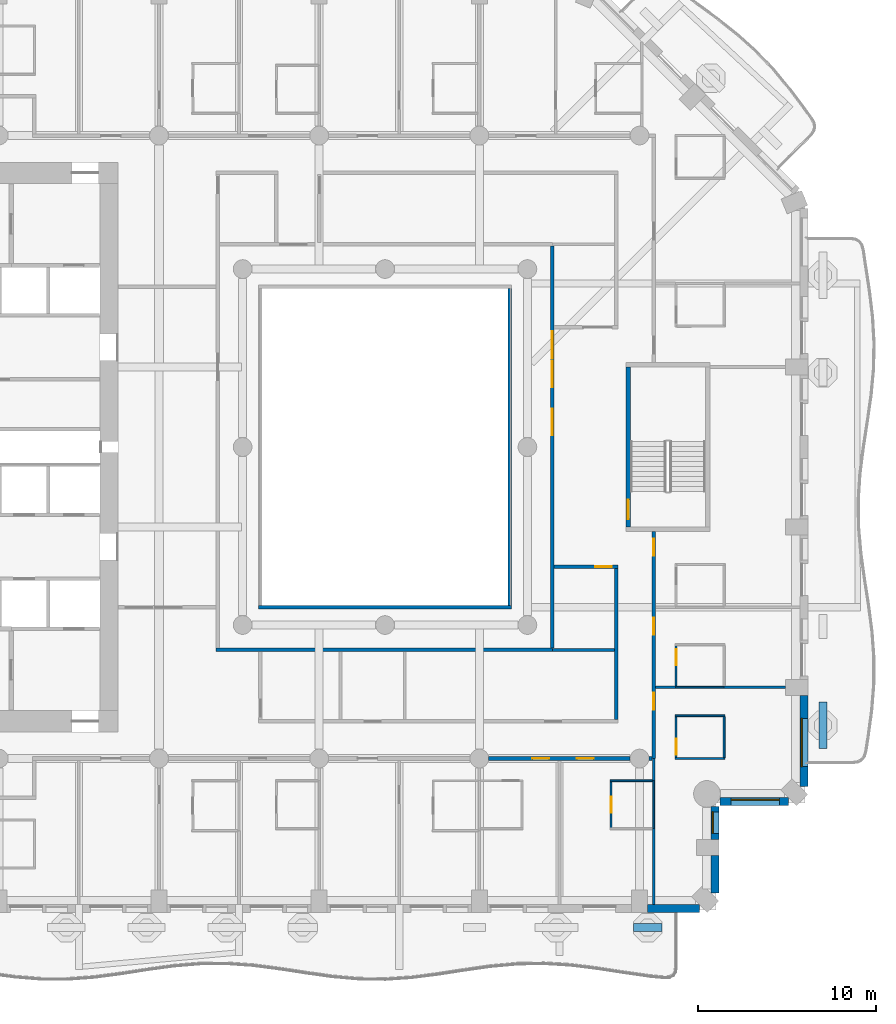
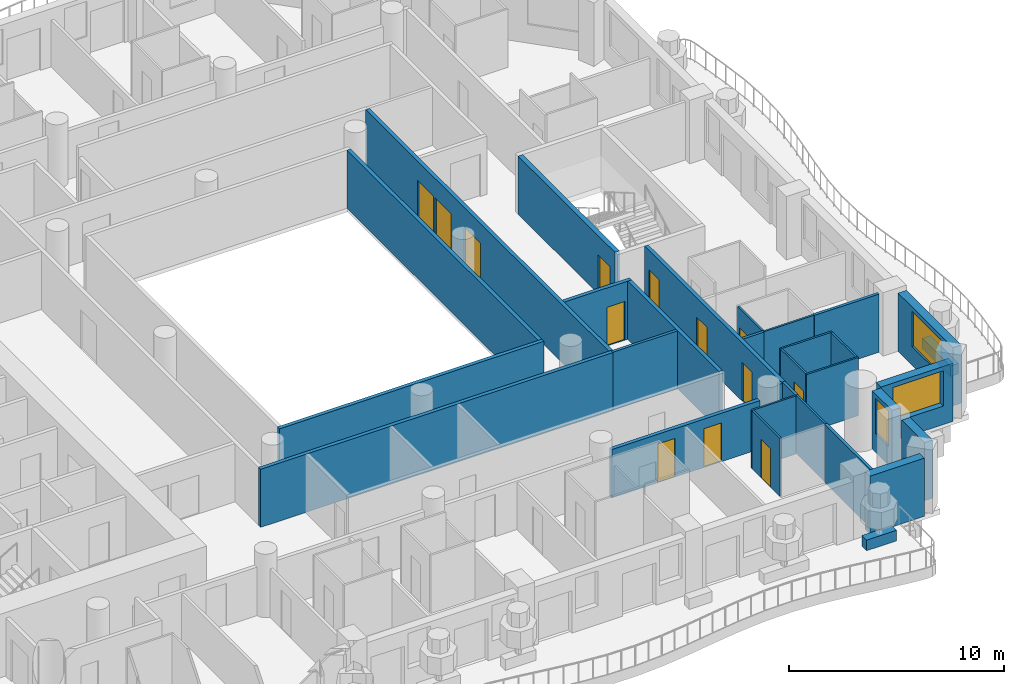
# One storey, part 6 of 20: 31 walls, 13 doors, 3 windows, 16 openings.
"""IFC4 building model written with IfcOpenShell, lengths in metres."""

from ifc_helpers import new_model, si_unit, direction, frame, frame_2d, origin, place, context, subcontext, project, spatial, rectangle, extrude, material, layer, layer_set, type_object, element, fill, save


model = new_model("IFC4")

# Units and contexts
model_context = context("Model", 3, precision=1e-05, world=origin(), true_north=direction((0.0, 1.0)))
body_context = subcontext(model_context, "Body", "Model", "MODEL_VIEW")
ifc_project = project(units=[si_unit("LENGTHUNIT", "METRE"), si_unit("AREAUNIT", "SQUARE_METRE"), si_unit("VOLUMEUNIT", "CUBIC_METRE"), si_unit("PLANEANGLEUNIT", "RADIAN"), si_unit("MASSUNIT", "GRAM", prefix="KILO")], contexts=[model_context])

# Site, building, storey
site_placement = place(None, origin())
site = spatial("IfcSite", under=ifc_project, at=site_placement, CompositionType="ELEMENT")
building_placement = place(site_placement, origin())
building = spatial("IfcBuilding", under=site, at=building_placement, Name="Cypress Arch Tower", CompositionType="ELEMENT")
storey_placement = place(building_placement, frame((0.0, 0.0, 113.10009765625)))
storey = spatial("IfcBuildingStorey", under=building, at=storey_placement, Name="L23", CompositionType="ELEMENT", Elevation=113.10009765625)

# Walls
ifc_material_1 = material(Name="Concrete C40/50, waterproofed", Category="concrete")
ifc_layer_1 = layer(ifc_material_1, 0.449951171875)
ifc_layer_set_1 = layer_set([ifc_layer_1], Name="Balcony planter wall PW450")
wall_type_1 = type_object("IfcWallType", Name="Balcony planter wall PW450", PredefinedType="SOLIDWALL", material=ifc_layer_set_1)
wall_1_placement = place(storey_placement, frame((14.949951171875, -27.0, 0.0), z_axis=(0.0, 0.0, 1.0), x_axis=(1.0, 0.0, 0.0)))
element("IfcWall", 1, at=wall_1_placement, inside=storey, type_object=wall_type_1, Name="Balcony planter wall L23-A03.7", PredefinedType="SOLIDWALL", context=body_context, shape_type="SweptSolid", body=[
    extrude(rectangle(XDim=1.60009765625, YDim=0.449951171875, at=frame_2d((0.800048828125, 0.0))), origin(), (0.0, 0.0, 1.0), 0.599853515625),
])
wall_2_placement = place(storey_placement, frame((25.60009765625, -16.949951171875, 0.0), z_axis=(0.0, 0.0, 1.0), x_axis=(0.0, 1.0, 0.0)))
element("IfcWall", 2, at=wall_2_placement, inside=storey, type_object=wall_type_1, Name="Balcony planter wall L23-A06.1", PredefinedType="SOLIDWALL", context=body_context, shape_type="SweptSolid", body=[
    extrude(rectangle(XDim=2.6142578125, YDim=0.449951171875, at=frame_2d((1.30712890625, 0.0))), origin(), (0.0, 0.0, 1.0), 0.599853515625),
])
ifc_material_2 = material(Name="Brick (red buff blend)", Category="masonry")
ifc_layer_2 = layer(ifc_material_2, 0.449951171875)
ifc_layer_set_2 = layer_set([ifc_layer_2], Name="Brick pier and spandrel wall BW450")
wall_type_2 = type_object("IfcWallType", Name="Brick pier and spandrel wall BW450", PredefinedType="SOLIDWALL", material=ifc_layer_set_2)
wall_3_placement = place(storey_placement, frame((15.75, -25.925048828125, 0.0), z_axis=(0.0, 0.0, 1.0), x_axis=(1.0, 0.0, 0.0)))
element("IfcWall", 3, at=wall_3_placement, inside=storey, type_object=wall_type_2, Name="Brick wall L23 A03.5", PredefinedType="SOLIDWALL", context=body_context, shape_type="SweptSolid", body=[
    extrude(rectangle(XDim=2.91357421875, YDim=0.449951171875, at=frame_2d((1.456787109375, 0.0))), origin(), (0.0, 0.0, 1.0), 3.2998046875),
])
wall_4_placement = place(storey_placement, frame((19.52490234375, -25.063720703125, 0.0), z_axis=(0.0, 0.0, 1.0), x_axis=(0.0, 1.0, 0.0)))
element("IfcWall", 4, at=wall_4_placement, inside=storey, type_object=wall_type_2, Name="Brick wall L23 A04.0", PredefinedType="SOLIDWALL", context=body_context, shape_type="SweptSolid", body=[
    extrude(rectangle(XDim=2.11376953125, YDim=0.449951171875, at=frame_2d((1.056884765625, 0.0))), origin(), (0.0, 0.0, 1.0), 3.2998046875),
])

# Wall, opening, window
wall_5_placement = place(storey_placement, frame((19.52490234375, -22.050048828125, 0.0), z_axis=(0.0, 0.0, 1.0), x_axis=(0.0, 1.0, 0.0)))
wall_5 = element("IfcWall", 5, at=wall_5_placement, inside=storey, type_object=wall_type_2, Name="Brick wall L23 A04.1", PredefinedType="SOLIDWALL", context=body_context, shape_type="SweptSolid", body=[
    extrude(rectangle(XDim=1.843017578125, YDim=0.449951171875, at=frame_2d((0.92138671875, 0.0))), origin(), (0.0, 0.0, 1.0), 3.2998046875),
])
opening_1_placement = place(wall_5_placement, frame((0.35009765625, 0.0, 1.050048828125)))
opening_1 = element("IfcOpeningElement", 6, at=opening_1_placement, cuts=wall_5, Name="Opening W120H", PredefinedType="OPENING", context=body_context, shape_type="SweptSolid", body=[
    extrude(rectangle(XDim=1.199951171875, YDim=2.0, at=frame_2d((0.60009765625, 1.0))), frame((0.0, 0.23486328125, 0.0), z_axis=(0.0, -1.0, 0.0), x_axis=(1.0, 0.0, 0.0)), (0.0, 0.0, 1.0), 0.469970703125),
])
ifc_material_3 = material(Name="Anodised aluminium, bronze finish, clear low-emissivity double glazing", Category="aluminium")
window_type_1 = type_object("IfcWindowType", Name="Window Hotel 1200x2000", PartitioningType="SINGLE_PANEL", PredefinedType="WINDOW", material=ifc_material_3)
window_1_placement = place(opening_1_placement, origin())
window_1 = element("IfcWindow", 7, at=window_1_placement, inside=storey, type_object=window_type_1, Name="Window L23 A04.1.1", OverallHeight=2.0, OverallWidth=1.199951171875, PartitioningType="SINGLE_PANEL", PredefinedType="WINDOW", context=body_context, shape_type="SweptSolid", body=[
    extrude(rectangle(XDim=1.199951171875, YDim=2.0, at=frame_2d((0.60009765625, 1.0))), frame((0.0, 0.135009765625, 0.0), z_axis=(0.0, -1.0, 0.0), x_axis=(1.0, 0.0, 0.0)), (0.0, 0.0, 1.0), 0.06005859375),
])
fill(opening_1, window_1)

wall_6_placement = place(storey_placement, frame((19.806884765625, -19.925048828125, 0.0), z_axis=(0.0, 0.0, 1.0), x_axis=(1.0, 0.0, 0.0)))
wall_6 = element("IfcWall", 8, at=wall_6_placement, inside=storey, type_object=wall_type_2, Name="Brick wall L23 A05.0", PredefinedType="SOLIDWALL", context=body_context, shape_type="SweptSolid", body=[
    extrude(rectangle(XDim=3.856689453125, YDim=0.449951171875, at=frame_2d((1.92822265625, 0.0))), origin(), (0.0, 0.0, 1.0), 3.2998046875),
])
opening_2_placement = place(wall_6_placement, frame((0.64306640625, 0.0, 1.050048828125)))
opening_2 = element("IfcOpeningElement", 9, at=opening_2_placement, cuts=wall_6, Name="Opening W270H", PredefinedType="OPENING", context=body_context, shape_type="SweptSolid", body=[
    extrude(rectangle(XDim=2.699951171875, YDim=2.0, at=frame_2d((1.35009765625, 1.0))), frame((0.0, 0.23486328125, 0.0), z_axis=(0.0, -1.0, 0.0), x_axis=(1.0, 0.0, 0.0)), (0.0, 0.0, 1.0), 0.469970703125),
])
ifc_material_4 = material(Name="Anodised aluminium, bronze finish, clear low-emissivity double glazing", Category="aluminium")
window_type_2 = type_object("IfcWindowType", Name="Window Hotel 2700x2000", PartitioningType="SINGLE_PANEL", PredefinedType="WINDOW", material=ifc_material_4)
window_2_placement = place(opening_2_placement, origin())
window_2 = element("IfcWindow", 10, at=window_2_placement, inside=storey, type_object=window_type_2, Name="Window L23 A05.0.1", OverallHeight=2.0, OverallWidth=2.699951171875, PartitioningType="SINGLE_PANEL", PredefinedType="WINDOW", context=body_context, shape_type="SweptSolid", body=[
    extrude(rectangle(XDim=2.699951171875, YDim=2.0, at=frame_2d((1.35009765625, 1.0))), frame((0.0, 0.135009765625, 0.0), z_axis=(0.0, -1.0, 0.0), x_axis=(1.0, 0.0, 0.0)), (0.0, 0.0, 1.0), 0.06005859375),
])
fill(opening_2, window_2)

wall_7_placement = place(storey_placement, frame((24.52490234375, -19.063720703125, 0.0), z_axis=(0.0, 0.0, 1.0), x_axis=(0.0, 1.0, 0.0)))
wall_7 = element("IfcWall", 11, at=wall_7_placement, inside=storey, type_object=wall_type_2, Name="Brick wall L23 A06.0", PredefinedType="SOLIDWALL", context=body_context, shape_type="SweptSolid", body=[
    extrude(rectangle(XDim=5.11376953125, YDim=0.449951171875, at=frame_2d((2.556884765625, 0.0))), origin(), (0.0, 0.0, 1.0), 3.2998046875),
])
opening_3_placement = place(wall_7_placement, frame((1.113525390625, 0.0, 1.050048828125)))
opening_3 = element("IfcOpeningElement", 12, at=opening_3_placement, cuts=wall_7, Name="Opening W270HD", PredefinedType="OPENING", context=body_context, shape_type="SweptSolid", body=[
    extrude(rectangle(XDim=2.699951171875, YDim=2.0, at=frame_2d((1.35009765625, 1.0))), frame((0.0, 0.23486328125, 0.0), z_axis=(0.0, -1.0, 0.0), x_axis=(1.0, 0.0, 0.0)), (0.0, 0.0, 1.0), 0.469970703125),
])
ifc_material_5 = material(Name="Anodised aluminium, bronze finish, laminated low-emissivity double glazing, large-missile impact rated", Category="aluminium")
window_type_3 = type_object("IfcWindowType", Name="Window Hotel 2700x2000 debris-rated", PartitioningType="SINGLE_PANEL", PredefinedType="WINDOW", material=ifc_material_5)
window_3_placement = place(opening_3_placement, origin())
window_3 = element("IfcWindow", 13, at=window_3_placement, inside=storey, type_object=window_type_3, Name="Window L23 A06.0.1", OverallHeight=2.0, OverallWidth=2.699951171875, PartitioningType="SINGLE_PANEL", PredefinedType="WINDOW", context=body_context, shape_type="SweptSolid", body=[
    extrude(rectangle(XDim=2.699951171875, YDim=2.0, at=frame_2d((1.35009765625, 1.0))), frame((0.0, 0.135009765625, 0.0), z_axis=(0.0, -1.0, 0.0), x_axis=(1.0, 0.0, 0.0)), (0.0, 0.0, 1.0), 0.06005859375),
])
fill(opening_3, window_3)

# Wall, openings, doors
ifc_material_6 = material(Name="Concrete blockwork, plastered, rated", Category="masonry")
ifc_layer_3 = layer(ifc_material_6, 0.199951171875)
ifc_layer_set_3 = layer_set([ifc_layer_3], Name="Corridor wall FW200")
wall_type_3 = type_object("IfcWallType", Name="Corridor wall FW200", PredefinedType="PARTITIONING", material=ifc_layer_set_3)
wall_8_placement = place(storey_placement, frame((6.824951171875, -17.5, 0.0), z_axis=(0.0, 0.0, 1.0), x_axis=(1.0, 0.0, 0.0)))
wall_8 = element("IfcWall", 14, at=wall_8_placement, inside=storey, type_object=wall_type_3, Name="Corridor wall", PredefinedType="PARTITIONING", context=body_context, shape_type="SweptSolid", body=[
    extrude(rectangle(XDim=7.949951171875, YDim=0.199951171875, at=frame_2d((3.97509765625, 0.0))), origin(), (0.0, 0.0, 1.0), 2.75),
])
opening_4_placement = place(wall_8_placement, frame((2.449951171875, 0.0, 0.0)))
opening_4 = element("IfcOpeningElement", 15, at=opening_4_placement, cuts=wall_8, Name="Opening D02", PredefinedType="OPENING", context=body_context, shape_type="SweptSolid", body=[
    extrude(rectangle(XDim=0.949951171875, YDim=2.199951171875, at=frame_2d((0.47509765625, 1.10009765625))), frame((0.0, 0.10986328125, 0.0), z_axis=(0.0, -1.0, 0.0), x_axis=(1.0, 0.0, 0.0)), (0.0, 0.0, 1.0), 0.219970703125),
])
opening_5_placement = place(wall_8_placement, frame((4.949951171875, 0.0, 0.0)))
opening_5 = element("IfcOpeningElement", 16, at=opening_5_placement, cuts=wall_8, Name="Opening D02", PredefinedType="OPENING", context=body_context, shape_type="SweptSolid", body=[
    extrude(rectangle(XDim=0.949951171875, YDim=2.199951171875, at=frame_2d((0.47509765625, 1.10009765625))), frame((0.0, 0.10986328125, 0.0), z_axis=(0.0, -1.0, 0.0), x_axis=(1.0, 0.0, 0.0)), (0.0, 0.0, 1.0), 0.219970703125),
])
ifc_material_7 = material(Name="Timber flush door, fire resisting", Category="wood")
door_type_1 = type_object("IfcDoorType", Name="Room door D02 950x2200", OperationType="SINGLE_SWING_LEFT", PredefinedType="DOOR", material=ifc_material_7)
door_1_placement = place(opening_4_placement, origin())
door_1 = element("IfcDoor", 17, at=door_1_placement, inside=storey, type_object=door_type_1, Name="Room door", OperationType="SINGLE_SWING_LEFT", OverallHeight=2.199951171875, OverallWidth=0.949951171875, PredefinedType="DOOR", context=body_context, shape_type="SweptSolid", body=[
    extrude(rectangle(XDim=0.949951171875, YDim=2.199951171875, at=frame_2d((0.47509765625, 1.10009765625))), frame((0.0, 0.02490234375, 0.0), z_axis=(0.0, -1.0, 0.0), x_axis=(1.0, 0.0, 0.0)), (0.0, 0.0, 1.0), 0.050048828125),
])
fill(opening_4, door_1)
door_2_placement = place(opening_5_placement, origin())
door_2 = element("IfcDoor", 18, at=door_2_placement, inside=storey, type_object=door_type_1, Name="Room door", OperationType="SINGLE_SWING_RIGHT", OverallHeight=2.199951171875, OverallWidth=0.949951171875, PredefinedType="DOOR", context=body_context, shape_type="SweptSolid", body=[
    extrude(rectangle(XDim=0.949951171875, YDim=2.199951171875, at=frame_2d((0.47509765625, 1.10009765625))), frame((0.0, 0.02490234375, 0.0), z_axis=(0.0, -1.0, 0.0), x_axis=(1.0, 0.0, 0.0)), (0.0, 0.0, 1.0), 0.050048828125),
])
fill(opening_5, door_2)

# Walls
wall_9_placement = place(storey_placement, frame((15.824951171875, -17.5, 0.0), z_axis=(0.0, 0.0, 1.0), x_axis=(1.0, 0.0, 0.0)))
element("IfcWall", 19, at=wall_9_placement, inside=storey, type_object=wall_type_3, Name="Corridor wall", PredefinedType="PARTITIONING", context=body_context, shape_type="SweptSolid", body=[
    extrude(rectangle(XDim=0.175048828125, YDim=0.199951171875, at=frame_2d((0.08740234375, 0.0))), origin(), (0.0, 0.0, 1.0), 3.2998046875),
])
wall_10_placement = place(storey_placement, frame((-8.5, -11.39990234375, 0.0), z_axis=(0.0, 0.0, 1.0), x_axis=(1.0, 0.0, 0.0)))
element("IfcWall", 20, at=wall_10_placement, inside=storey, type_object=wall_type_3, Name="Corridor wall", PredefinedType="PARTITIONING", context=body_context, shape_type="SweptSolid", body=[
    extrude(rectangle(XDim=18.89990234375, YDim=0.199951171875, at=frame_2d((9.449951171875, 0.0))), origin(), (0.0, 0.0, 1.0), 3.2998046875),
])
wall_11_placement = place(storey_placement, frame((-6.10009765625, -9.0, 0.0), z_axis=(0.0, 0.0, 1.0), x_axis=(1.0, 0.0, 0.0)))
element("IfcWall", 21, at=wall_11_placement, inside=storey, type_object=wall_type_3, Name="Corridor wall", PredefinedType="PARTITIONING", context=body_context, shape_type="SweptSolid", body=[
    extrude(rectangle(XDim=14.2001953125, YDim=0.199951171875, at=frame_2d((7.10009765625, 0.0))), origin(), (0.0, 0.0, 1.0), 3.2998046875),
])
wall_12_placement = place(storey_placement, frame((8.0, -8.89990234375, 0.0), z_axis=(0.0, 0.0, 1.0), x_axis=(0.0, 1.0, 0.0)))
element("IfcWall", 22, at=wall_12_placement, inside=storey, type_object=wall_type_3, Name="Corridor wall", PredefinedType="PARTITIONING", context=body_context, shape_type="SweptSolid", body=[
    extrude(rectangle(XDim=17.7998046875, YDim=0.199951171875, at=frame_2d((8.89990234375, 0.0))), origin(), (0.0, 0.0, 1.0), 3.2998046875),
])

# Wall, openings, doors
wall_13_placement = place(storey_placement, frame((10.39990234375, -11.300048828125, 0.0), z_axis=(0.0, 0.0, 1.0), x_axis=(0.0, 1.0, 0.0)))
wall_13 = element("IfcWall", 23, at=wall_13_placement, inside=storey, type_object=wall_type_3, Name="Corridor wall", PredefinedType="PARTITIONING", context=body_context, shape_type="SweptSolid", body=[
    extrude(rectangle(XDim=22.60009765625, YDim=0.199951171875, at=frame_2d((11.300048828125, 0.0))), origin(), (0.0, 0.0, 1.0), 3.2998046875),
])
opening_6_placement = place(wall_13_placement, frame((16.300048828125, 0.0, 0.0)))
opening_6 = element("IfcOpeningElement", 24, at=opening_6_placement, cuts=wall_13, Name="Opening D04", PredefinedType="OPENING", context=body_context, shape_type="SweptSolid", body=[
    extrude(rectangle(XDim=1.5, YDim=2.199951171875, at=frame_2d((0.75, 1.10009765625))), frame((0.0, 0.10986328125, 0.0), z_axis=(0.0, -1.0, 0.0), x_axis=(1.0, 0.0, 0.0)), (0.0, 0.0, 1.0), 0.219970703125),
])
opening_7_placement = place(wall_13_placement, frame((14.64990234375, 0.0, 0.0)))
opening_7 = element("IfcOpeningElement", 25, at=opening_7_placement, cuts=wall_13, Name="Opening D04", PredefinedType="OPENING", context=body_context, shape_type="SweptSolid", body=[
    extrude(rectangle(XDim=1.5, YDim=2.199951171875, at=frame_2d((0.75, 1.10009765625))), frame((0.0, 0.10986328125, 0.0), z_axis=(0.0, -1.0, 0.0), x_axis=(1.0, 0.0, 0.0)), (0.0, 0.0, 1.0), 0.219970703125),
])
opening_8_placement = place(wall_13_placement, frame((11.949951171875, 0.0, 0.0)))
opening_8 = element("IfcOpeningElement", 26, at=opening_8_placement, cuts=wall_13, Name="Opening D04", PredefinedType="OPENING", context=body_context, shape_type="SweptSolid", body=[
    extrude(rectangle(XDim=1.5, YDim=2.199951171875, at=frame_2d((0.75, 1.10009765625))), frame((0.0, 0.10986328125, 0.0), z_axis=(0.0, -1.0, 0.0), x_axis=(1.0, 0.0, 0.0)), (0.0, 0.0, 1.0), 0.219970703125),
])
ifc_material_8 = material(Name="Timber double door", Category="wood")
door_type_2 = type_object("IfcDoorType", Name="Double door D04 1500x2200", OperationType="DOUBLE_DOOR_SINGLE_SWING", PredefinedType="DOOR", material=ifc_material_8)
door_3_placement = place(opening_6_placement, origin())
door_3 = element("IfcDoor", 27, at=door_3_placement, inside=storey, type_object=door_type_2, Name="Double door", OperationType="DOUBLE_DOOR_SINGLE_SWING", OverallHeight=2.199951171875, OverallWidth=1.5, PredefinedType="DOOR", context=body_context, shape_type="SweptSolid", body=[
    extrude(rectangle(XDim=1.5, YDim=2.199951171875, at=frame_2d((0.75, 1.10009765625))), frame((0.0, 0.02490234375, 0.0), z_axis=(0.0, -1.0, 0.0), x_axis=(1.0, 0.0, 0.0)), (0.0, 0.0, 1.0), 0.050048828125),
])
fill(opening_6, door_3)
door_4_placement = place(opening_7_placement, origin())
door_4 = element("IfcDoor", 28, at=door_4_placement, inside=storey, type_object=door_type_2, Name="Double door", OperationType="DOUBLE_DOOR_SINGLE_SWING", OverallHeight=2.199951171875, OverallWidth=1.5, PredefinedType="DOOR", context=body_context, shape_type="SweptSolid", body=[
    extrude(rectangle(XDim=1.5, YDim=2.199951171875, at=frame_2d((0.75, 1.10009765625))), frame((0.0, 0.02490234375, 0.0), z_axis=(0.0, -1.0, 0.0), x_axis=(1.0, 0.0, 0.0)), (0.0, 0.0, 1.0), 0.050048828125),
])
fill(opening_7, door_4)
door_5_placement = place(opening_8_placement, origin())
door_5 = element("IfcDoor", 29, at=door_5_placement, inside=storey, type_object=door_type_2, Name="Double door", OperationType="DOUBLE_DOOR_SINGLE_SWING", OverallHeight=2.199951171875, OverallWidth=1.5, PredefinedType="DOOR", context=body_context, shape_type="SweptSolid", body=[
    extrude(rectangle(XDim=1.5, YDim=2.199951171875, at=frame_2d((0.75, 1.10009765625))), frame((0.0, 0.02490234375, 0.0), z_axis=(0.0, -1.0, 0.0), x_axis=(1.0, 0.0, 0.0)), (0.0, 0.0, 1.0), 0.050048828125),
])
fill(opening_8, door_5)

# Wall, opening, door
wall_14_placement = place(storey_placement, frame((10.5, -6.72509765625, 0.0), z_axis=(0.0, 0.0, 1.0), x_axis=(1.0, 0.0, 0.0)))
wall_14 = element("IfcWall", 30, at=wall_14_placement, inside=storey, type_object=wall_type_3, Name="Corridor wall", PredefinedType="PARTITIONING", context=body_context, shape_type="SweptSolid", body=[
    extrude(rectangle(XDim=3.60009765625, YDim=0.199951171875, at=frame_2d((1.800048828125, 0.0))), origin(), (0.0, 0.0, 1.0), 3.2998046875),
])
opening_9_placement = place(wall_14_placement, frame((2.300048828125, 0.0, 0.0)))
opening_9 = element("IfcOpeningElement", 31, at=opening_9_placement, cuts=wall_14, Name="Opening D02", PredefinedType="OPENING", context=body_context, shape_type="SweptSolid", body=[
    extrude(rectangle(XDim=0.949951171875, YDim=2.199951171875, at=frame_2d((0.47509765625, 1.10009765625))), frame((0.0, 0.10986328125, 0.0), z_axis=(0.0, -1.0, 0.0), x_axis=(1.0, 0.0, 0.0)), (0.0, 0.0, 1.0), 0.219970703125),
])
door_6_placement = place(opening_9_placement, origin())
door_6 = element("IfcDoor", 32, at=door_6_placement, inside=storey, type_object=door_type_1, Name="Room door", OperationType="SINGLE_SWING_LEFT", OverallHeight=2.199951171875, OverallWidth=0.949951171875, PredefinedType="DOOR", context=body_context, shape_type="SweptSolid", body=[
    extrude(rectangle(XDim=0.949951171875, YDim=2.199951171875, at=frame_2d((0.47509765625, 1.10009765625))), frame((0.0, 0.02490234375, 0.0), z_axis=(0.0, -1.0, 0.0), x_axis=(1.0, 0.0, 0.0)), (0.0, 0.0, 1.0), 0.050048828125),
])
fill(opening_9, door_6)

# Wall
wall_15_placement = place(storey_placement, frame((14.0, -15.300048828125, 0.0), z_axis=(0.0, 0.0, 1.0), x_axis=(0.0, 1.0, 0.0)))
element("IfcWall", 33, at=wall_15_placement, inside=storey, type_object=wall_type_3, Name="Corridor wall", PredefinedType="PARTITIONING", context=body_context, shape_type="SweptSolid", body=[
    extrude(rectangle(XDim=8.47509765625, YDim=0.199951171875, at=frame_2d((4.237548828125, 0.0))), origin(), (0.0, 0.0, 1.0), 3.2998046875),
])

# Wall, openings, doors
wall_16_placement = place(storey_placement, frame((16.10009765625, -17.5, 0.0), z_axis=(0.0, 0.0, 1.0), x_axis=(0.0, 1.0, 0.0)))
wall_16 = element("IfcWall", 34, at=wall_16_placement, inside=storey, type_object=wall_type_3, Name="Corridor wall", PredefinedType="PARTITIONING", context=body_context, shape_type="SweptSolid", body=[
    extrude(rectangle(XDim=12.75, YDim=0.199951171875, at=frame_2d((6.375, 0.0))), origin(), (0.0, 0.0, 1.0), 3.2998046875),
])
opening_10_placement = place(wall_16_placement, frame((2.75, 0.0, 0.0)))
opening_10 = element("IfcOpeningElement", 35, at=opening_10_placement, cuts=wall_16, Name="Opening D02", PredefinedType="OPENING", context=body_context, shape_type="SweptSolid", body=[
    extrude(rectangle(XDim=0.949951171875, YDim=2.199951171875, at=frame_2d((0.47509765625, 1.10009765625))), frame((0.0, 0.10986328125, 0.0), z_axis=(0.0, -1.0, 0.0), x_axis=(1.0, 0.0, 0.0)), (0.0, 0.0, 1.0), 0.219970703125),
])
opening_11_placement = place(wall_16_placement, frame((6.949951171875, 0.0, 0.0)))
opening_11 = element("IfcOpeningElement", 36, at=opening_11_placement, cuts=wall_16, Name="Opening D02", PredefinedType="OPENING", context=body_context, shape_type="SweptSolid", body=[
    extrude(rectangle(XDim=0.949951171875, YDim=2.199951171875, at=frame_2d((0.47509765625, 1.10009765625))), frame((0.0, 0.10986328125, 0.0), z_axis=(0.0, -1.0, 0.0), x_axis=(1.0, 0.0, 0.0)), (0.0, 0.0, 1.0), 0.219970703125),
])
opening_12_placement = place(wall_16_placement, frame((11.39990234375, 0.0, 0.0)))
opening_12 = element("IfcOpeningElement", 37, at=opening_12_placement, cuts=wall_16, Name="Opening D02", PredefinedType="OPENING", context=body_context, shape_type="SweptSolid", body=[
    extrude(rectangle(XDim=0.949951171875, YDim=2.199951171875, at=frame_2d((0.47509765625, 1.10009765625))), frame((0.0, 0.10986328125, 0.0), z_axis=(0.0, -1.0, 0.0), x_axis=(1.0, 0.0, 0.0)), (0.0, 0.0, 1.0), 0.219970703125),
])
door_7_placement = place(opening_10_placement, origin())
door_7 = element("IfcDoor", 38, at=door_7_placement, inside=storey, type_object=door_type_1, Name="Room door", OperationType="SINGLE_SWING_LEFT", OverallHeight=2.199951171875, OverallWidth=0.949951171875, PredefinedType="DOOR", context=body_context, shape_type="SweptSolid", body=[
    extrude(rectangle(XDim=0.949951171875, YDim=2.199951171875, at=frame_2d((0.47509765625, 1.10009765625))), frame((0.0, 0.02490234375, 0.0), z_axis=(0.0, -1.0, 0.0), x_axis=(1.0, 0.0, 0.0)), (0.0, 0.0, 1.0), 0.050048828125),
])
fill(opening_10, door_7)
door_8_placement = place(opening_11_placement, origin())
door_8 = element("IfcDoor", 39, at=door_8_placement, inside=storey, type_object=door_type_1, Name="Room door", OperationType="SINGLE_SWING_LEFT", OverallHeight=2.199951171875, OverallWidth=0.949951171875, PredefinedType="DOOR", context=body_context, shape_type="SweptSolid", body=[
    extrude(rectangle(XDim=0.949951171875, YDim=2.199951171875, at=frame_2d((0.47509765625, 1.10009765625))), frame((0.0, 0.02490234375, 0.0), z_axis=(0.0, -1.0, 0.0), x_axis=(1.0, 0.0, 0.0)), (0.0, 0.0, 1.0), 0.050048828125),
])
fill(opening_11, door_8)
door_9_placement = place(opening_12_placement, origin())
door_9 = element("IfcDoor", 40, at=door_9_placement, inside=storey, type_object=door_type_1, Name="Room door", OperationType="SINGLE_SWING_LEFT", OverallHeight=2.199951171875, OverallWidth=0.949951171875, PredefinedType="DOOR", context=body_context, shape_type="SweptSolid", body=[
    extrude(rectangle(XDim=0.949951171875, YDim=2.199951171875, at=frame_2d((0.47509765625, 1.10009765625))), frame((0.0, 0.02490234375, 0.0), z_axis=(0.0, -1.0, 0.0), x_axis=(1.0, 0.0, 0.0)), (0.0, 0.0, 1.0), 0.050048828125),
])
fill(opening_12, door_9)

# Walls
ifc_material_9 = material(Name="Blockwork, plastered both sides", Category="masonry")
ifc_layer_4 = layer(ifc_material_9, 0.14990234375)
ifc_layer_set_4 = layer_set([ifc_layer_4], Name="Partition PW150")
wall_type_4 = type_object("IfcWallType", Name="Partition PW150", PredefinedType="PARTITIONING", material=ifc_layer_set_4)
wall_17_placement = place(storey_placement, frame((10.39990234375, -11.39990234375, 0.0), z_axis=(0.0, 0.0, 1.0), x_axis=(1.0, 0.0, 0.0)))
element("IfcWall", 41, at=wall_17_placement, inside=storey, type_object=wall_type_4, Name="Partition", PredefinedType="PARTITIONING", context=body_context, shape_type="SweptSolid", body=[
    extrude(rectangle(XDim=3.5, YDim=0.14990234375, at=frame_2d((1.75, 0.0))), origin(), (0.0, 0.0, 1.0), 3.2998046875),
])
wall_18_placement = place(storey_placement, frame((16.10009765625, -25.699951171875, 0.0), z_axis=(0.0, 0.0, 1.0), x_axis=(0.0, 1.0, 0.0)))
element("IfcWall", 42, at=wall_18_placement, inside=storey, type_object=wall_type_4, Name="Partition", PredefinedType="PARTITIONING", context=body_context, shape_type="SweptSolid", body=[
    extrude(rectangle(XDim=4.27001953125, YDim=0.14990234375, at=frame_2d((2.135009765625, 0.0))), origin(), (0.0, 0.0, 1.0), 3.2998046875),
])
wall_19_placement = place(storey_placement, frame((16.10009765625, -18.72998046875, 0.0), z_axis=(0.0, 0.0, 1.0), x_axis=(0.0, 1.0, 0.0)))
element("IfcWall", 43, at=wall_19_placement, inside=storey, type_object=wall_type_4, Name="Partition", PredefinedType="PARTITIONING", context=body_context, shape_type="SweptSolid", body=[
    extrude(rectangle(XDim=1.22998046875, YDim=0.14990234375, at=frame_2d((0.614990234375, 0.0))), origin(), (0.0, 0.0, 1.0), 3.2998046875),
])
wall_20_placement = place(storey_placement, frame((16.199951171875, -13.5, 0.0), z_axis=(0.0, 0.0, 1.0), x_axis=(1.0, 0.0, 0.0)))
element("IfcWall", 44, at=wall_20_placement, inside=storey, type_object=wall_type_4, Name="Partition", PredefinedType="PARTITIONING", context=body_context, shape_type="SweptSolid", body=[
    extrude(rectangle(XDim=1.130126953125, YDim=0.14990234375, at=frame_2d((0.56494140625, 0.0))), origin(), (0.0, 0.0, 1.0), 3.2998046875),
])
wall_21_placement = place(storey_placement, frame((20.030029296875, -13.5, 0.0), z_axis=(0.0, 0.0, 1.0), x_axis=(1.0, 0.0, 0.0)))
element("IfcWall", 45, at=wall_21_placement, inside=storey, type_object=wall_type_4, Name="Partition", PredefinedType="PARTITIONING", context=body_context, shape_type="SweptSolid", body=[
    extrude(rectangle(XDim=3.469970703125, YDim=0.14990234375, at=frame_2d((1.73486328125, 0.0))), origin(), (0.0, 0.0, 1.0), 3.2998046875),
])

# Wall, opening, door
ifc_material_10 = material(Name="Concrete C50/60", Category="concrete")
ifc_layer_5 = layer(ifc_material_10, 0.25)
ifc_layer_set_5 = layer_set([ifc_layer_5], Name="Stair enclosure wall SW250")
wall_type_5 = type_object("IfcWallType", Name="Stair enclosure wall SW250", PredefinedType="SHEAR", material=ifc_layer_set_5)
wall_22_placement = place(storey_placement, frame((14.675048828125, -4.5, 0.0), z_axis=(0.0, 0.0, 1.0), x_axis=(0.0, 1.0, 0.0)))
wall_22 = element("IfcWall", 46, at=wall_22_placement, inside=storey, type_object=wall_type_5, Name="Stair enclosure wall", PredefinedType="SHEAR", context=body_context, shape_type="SweptSolid", body=[
    extrude(rectangle(XDim=9.0, YDim=0.25, at=frame_2d((4.5, 0.0))), origin(), (0.0, 0.0, 1.0), 3.2998046875),
])
opening_13_placement = place(wall_22_placement, frame((0.449951171875, 0.0, 0.0)))
opening_13 = element("IfcOpeningElement", 47, at=opening_13_placement, cuts=wall_22, Name="Opening D06", PredefinedType="OPENING", context=body_context, shape_type="SweptSolid", body=[
    extrude(rectangle(XDim=1.10009765625, YDim=2.199951171875, at=frame_2d((0.550048828125, 1.10009765625))), frame((0.0, 0.135009765625, 0.0), z_axis=(0.0, -1.0, 0.0), x_axis=(1.0, 0.0, 0.0)), (0.0, 0.0, 1.0), 0.27001953125),
])
ifc_material_11 = material(Name="Steel door, fire resisting, panic bar", Category="steel")
door_type_3 = type_object("IfcDoorType", Name="Stair door D06 1100x2200", OperationType="SINGLE_SWING_LEFT", PredefinedType="DOOR", material=ifc_material_11)
door_10_placement = place(opening_13_placement, origin())
door_10 = element("IfcDoor", 48, at=door_10_placement, inside=storey, type_object=door_type_3, Name="Stair door", OperationType="SINGLE_SWING_RIGHT", OverallHeight=2.199951171875, OverallWidth=1.10009765625, PredefinedType="DOOR", context=body_context, shape_type="SweptSolid", body=[
    extrude(rectangle(XDim=1.10009765625, YDim=2.199951171875, at=frame_2d((0.550048828125, 1.10009765625))), frame((0.0, 0.02490234375, 0.0), z_axis=(0.0, -1.0, 0.0), x_axis=(1.0, 0.0, 0.0)), (0.0, 0.0, 1.0), 0.050048828125),
])
fill(opening_13, door_10)

ifc_material_12 = material(Name="Moisture resistant board on steel studs, tiled", Category="steel")
ifc_layer_6 = layer(ifc_material_12, 0.10009765625)
ifc_layer_set_6 = layer_set([ifc_layer_6], Name="Wet wall PW100")
wall_type_6 = type_object("IfcWallType", Name="Wet wall PW100", PredefinedType="PARTITIONING", material=ifc_layer_set_6)
wall_23_placement = place(storey_placement, frame((13.699951171875, -21.39990234375, 0.0), z_axis=(0.0, 0.0, 1.0), x_axis=(0.0, 1.0, 0.0)))
wall_23 = element("IfcWall", 49, at=wall_23_placement, inside=storey, type_object=wall_type_6, Name="Wet wall", PredefinedType="PARTITIONING", context=body_context, shape_type="SweptSolid", body=[
    extrude(rectangle(XDim=2.599853515625, YDim=0.10009765625, at=frame_2d((1.2998046875, 0.0))), origin(), (0.0, 0.0, 1.0), 3.2998046875),
])
opening_14_placement = place(wall_23_placement, frame((0.85009765625, 0.0, 0.0)))
opening_14 = element("IfcOpeningElement", 50, at=opening_14_placement, cuts=wall_23, Name="Opening D03", PredefinedType="OPENING", context=body_context, shape_type="SweptSolid", body=[
    extrude(rectangle(XDim=0.89990234375, YDim=2.199951171875, at=frame_2d((0.449951171875, 1.10009765625))), frame((0.0, 0.06005859375, 0.0), z_axis=(0.0, -1.0, 0.0), x_axis=(1.0, 0.0, 0.0)), (0.0, 0.0, 1.0), 0.1201171875),
])
ifc_material_13 = material(Name="Timber flush door, moisture resistant", Category="wood")
door_type_4 = type_object("IfcDoorType", Name="Bathroom door D03 900x2200", OperationType="SINGLE_SWING_LEFT", PredefinedType="DOOR", material=ifc_material_13)
door_11_placement = place(opening_14_placement, origin())
door_11 = element("IfcDoor", 51, at=door_11_placement, inside=storey, type_object=door_type_4, Name="Bathroom door", OperationType="SINGLE_SWING_LEFT", OverallHeight=2.199951171875, OverallWidth=0.89990234375, PredefinedType="DOOR", context=body_context, shape_type="SweptSolid", body=[
    extrude(rectangle(XDim=0.89990234375, YDim=2.199951171875, at=frame_2d((0.449951171875, 1.10009765625))), frame((0.0, 0.02490234375, 0.0), z_axis=(0.0, -1.0, 0.0), x_axis=(1.0, 0.0, 0.0)), (0.0, 0.0, 1.0), 0.050048828125),
])
fill(opening_14, door_11)

# Walls
wall_24_placement = place(storey_placement, frame((13.64990234375, -18.75, 0.0), z_axis=(0.0, 0.0, 1.0), x_axis=(1.0, 0.0, 0.0)))
element("IfcWall", 52, at=wall_24_placement, inside=storey, type_object=wall_type_6, Name="Wet wall", PredefinedType="PARTITIONING", context=body_context, shape_type="SweptSolid", body=[
    extrude(rectangle(XDim=2.375, YDim=0.10009765625, at=frame_2d((1.1875, 0.0))), origin(), (0.0, 0.0, 1.0), 3.2998046875),
])
for number, where, z_axis, x_axis, name in (
    (53, (16.10009765625, -21.429931640625, 0.0), (0.0, 0.0, 1.0), (0.0, 1.0, 0.0), "Wet wall"),
    (54, (17.330078125, -13.5, 0.0), (0.0, 0.0, 1.0), (1.0, 0.0, 0.0), "Wet wall"),
):
    element("IfcWall", number, at=place(storey_placement, frame(where, z_axis=z_axis, x_axis=x_axis)), inside=storey, type_object=wall_type_6, Name=name, PredefinedType="PARTITIONING", context=body_context, shape_type="SweptSolid", body=[
        extrude(rectangle(XDim=2.699951171875, YDim=0.10009765625, at=frame_2d((1.35009765625, 0.0))), origin(), (0.0, 0.0, 1.0), 3.2998046875),
    ])

# Wall, opening, door
wall_25_placement = place(storey_placement, frame((17.35009765625, -17.449951171875, 0.0), z_axis=(0.0, 0.0, 1.0), x_axis=(0.0, 1.0, 0.0)))
wall_25 = element("IfcWall", 55, at=wall_25_placement, inside=storey, type_object=wall_type_6, Name="Wet wall", PredefinedType="PARTITIONING", context=body_context, shape_type="SweptSolid", body=[
    extrude(rectangle(XDim=2.300048828125, YDim=0.10009765625, at=frame_2d((1.14990234375, 0.0))), origin(), (0.0, 0.0, 1.0), 3.2998046875),
])
opening_15_placement = place(wall_25_placement, frame((0.14990234375, 0.0, 0.0)))
opening_15 = element("IfcOpeningElement", 56, at=opening_15_placement, cuts=wall_25, Name="Opening D03", PredefinedType="OPENING", context=body_context, shape_type="SweptSolid", body=[
    extrude(rectangle(XDim=0.89990234375, YDim=2.199951171875, at=frame_2d((0.449951171875, 1.10009765625))), frame((0.0, 0.06005859375, 0.0), z_axis=(0.0, -1.0, 0.0), x_axis=(1.0, 0.0, 0.0)), (0.0, 0.0, 1.0), 0.1201171875),
])
door_12_placement = place(opening_15_placement, origin())
door_12 = element("IfcDoor", 57, at=door_12_placement, inside=storey, type_object=door_type_4, Name="Bathroom door", OperationType="SINGLE_SWING_RIGHT", OverallHeight=2.199951171875, OverallWidth=0.89990234375, PredefinedType="DOOR", context=body_context, shape_type="SweptSolid", body=[
    extrude(rectangle(XDim=0.89990234375, YDim=2.199951171875, at=frame_2d((0.449951171875, 1.10009765625))), frame((0.0, 0.02490234375, 0.0), z_axis=(0.0, -1.0, 0.0), x_axis=(1.0, 0.0, 0.0)), (0.0, 0.0, 1.0), 0.050048828125),
])
fill(opening_15, door_12)

# Walls
for number, where, z_axis, x_axis, name in (
    (58, (17.300048828125, -17.5, 0.0), (0.0, 0.0, 1.0), (1.0, 0.0, 0.0), "Wet wall"),
    (59, (17.300048828125, -15.10009765625, 0.0), (0.0, 0.0, 1.0), (1.0, 0.0, 0.0), "Wet wall"),
):
    element("IfcWall", number, at=place(storey_placement, frame(where, z_axis=z_axis, x_axis=x_axis)), inside=storey, type_object=wall_type_6, Name=name, PredefinedType="PARTITIONING", context=body_context, shape_type="SweptSolid", body=[
        extrude(rectangle(XDim=2.800048828125, YDim=0.10009765625, at=frame_2d((1.39990234375, 0.0))), origin(), (0.0, 0.0, 1.0), 3.2998046875),
    ])

# Wall, opening, door
wall_26_placement = place(storey_placement, frame((17.35009765625, -13.449951171875, 0.0), z_axis=(0.0, 0.0, 1.0), x_axis=(0.0, 1.0, 0.0)))
wall_26 = element("IfcWall", 60, at=wall_26_placement, inside=storey, type_object=wall_type_6, Name="Wet wall", PredefinedType="PARTITIONING", context=body_context, shape_type="SweptSolid", body=[
    extrude(rectangle(XDim=2.2958984375, YDim=0.10009765625, at=frame_2d((1.14794921875, 0.0))), origin(), (0.0, 0.0, 1.0), 3.2998046875),
])
opening_16_placement = place(wall_26_placement, frame((1.199951171875, 0.0, 0.0)))
opening_16 = element("IfcOpeningElement", 61, at=opening_16_placement, cuts=wall_26, Name="Opening D03", PredefinedType="OPENING", context=body_context, shape_type="SweptSolid", body=[
    extrude(rectangle(XDim=0.89990234375, YDim=2.199951171875, at=frame_2d((0.449951171875, 1.10009765625))), frame((0.0, 0.06005859375, 0.0), z_axis=(0.0, -1.0, 0.0), x_axis=(1.0, 0.0, 0.0)), (0.0, 0.0, 1.0), 0.1201171875),
])
door_13_placement = place(opening_16_placement, origin())
door_13 = element("IfcDoor", 62, at=door_13_placement, inside=storey, type_object=door_type_4, Name="Bathroom door", OperationType="SINGLE_SWING_LEFT", OverallHeight=2.199951171875, OverallWidth=0.89990234375, PredefinedType="DOOR", context=body_context, shape_type="SweptSolid", body=[
    extrude(rectangle(XDim=0.89990234375, YDim=2.199951171875, at=frame_2d((0.449951171875, 1.10009765625))), frame((0.0, 0.02490234375, 0.0), z_axis=(0.0, -1.0, 0.0), x_axis=(1.0, 0.0, 0.0)), (0.0, 0.0, 1.0), 0.050048828125),
])
fill(opening_16, door_13)

# Wall
wall_27_placement = place(storey_placement, frame((20.050048828125, -17.449951171875, 0.0), z_axis=(0.0, 0.0, 1.0), x_axis=(0.0, 1.0, 0.0)))
element("IfcWall", 63, at=wall_27_placement, inside=storey, type_object=wall_type_6, Name="Wet wall", PredefinedType="PARTITIONING", context=body_context, shape_type="SweptSolid", body=[
    extrude(rectangle(XDim=2.300048828125, YDim=0.10009765625, at=frame_2d((1.14990234375, 0.0))), origin(), (0.0, 0.0, 1.0), 3.2998046875),
])

save(model, "model.ifc")
